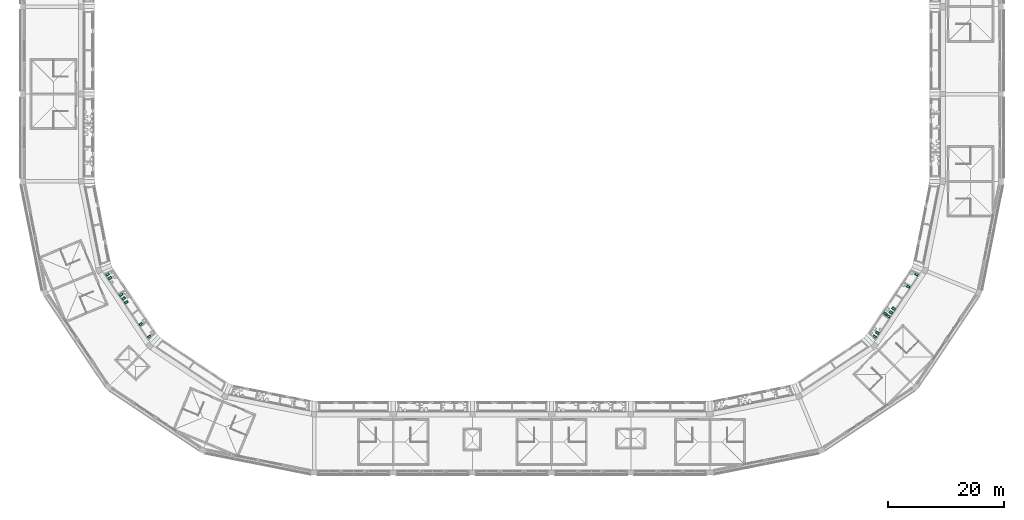
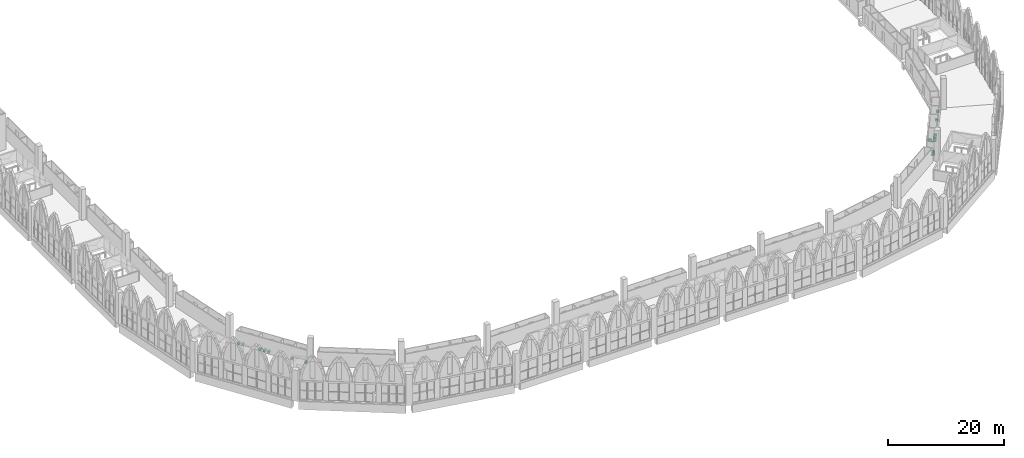
# One storey, part 122 of 130: 15 sanitary terminals.
"""IFC4 building model written with IfcOpenShell, lengths in metres."""

from ifc_helpers import new_model, si_unit, direction, frame, origin, origin_2d, place, context, subcontext, project, spatial, rectangle, extrude, material, type_object, element, save


model = new_model("IFC4")

# Units and contexts
model_context = context("Model", 3, precision=1e-05, world=origin(), true_north=direction((0.0, 1.0)))
body_context = subcontext(model_context, "Body", "Model", "MODEL_VIEW")
ifc_project = project(units=[si_unit("LENGTHUNIT", "METRE"), si_unit("AREAUNIT", "SQUARE_METRE"), si_unit("VOLUMEUNIT", "CUBIC_METRE"), si_unit("PLANEANGLEUNIT", "RADIAN"), si_unit("MASSUNIT", "GRAM", prefix="KILO")], contexts=[model_context])

# Site, building, storey
site_placement = place(None, origin())
site = spatial("IfcSite", under=ifc_project, at=site_placement, CompositionType="ELEMENT")
building_placement = place(site_placement, origin())
building = spatial("IfcBuilding", under=site, at=building_placement, Name="Ogive Plaza Stadium", CompositionType="ELEMENT")
storey_placement = place(building_placement, frame((0.0, 0.0, 22.5)))
storey = spatial("IfcBuildingStorey", under=building, at=storey_placement, Name="L05", CompositionType="ELEMENT", Elevation=22.5)

# Sanitary terminals
ifc_material = material(Name="Vitreous china", Category="ceramic")
sanitary_terminal_type = type_object("IfcSanitaryTerminalType", Name="Water closet", PredefinedType="TOILETPAN", material=ifc_material)
for number, where, z_axis, x_axis, name in (
    (1, (62.318359375, -79.17822265625, 0.0), (0.0, 0.0, 1.0), (0.55557023302, 0.831469612303, 0.0), "Water closet L05-025"),
    (2, (62.7626953125, -78.51318359375, 0.0), (0.0, 0.0, 1.0), (0.55557023302, 0.831469612303, 0.0), "Water closet L05-025"),
    (3, (-69.484619140625, -68.453369140625, 0.0), (0.0, 0.0, 1.0), (0.55557023302, -0.831469612303, 0.0), "Water closet L05-055"),
    (4, (-69.0400390625, -69.118408203125, 0.0), (0.0, 0.0, 1.0), (0.55557023302, -0.831469612303, 0.0), "Water closet L05-055"),
    (5, (64.652099609375, -75.685302734375, 0.0), (0.0, 0.0, 1.0), (0.55557023302, 0.831469612303, 0.0), "Water closet L05-026"),
    (6, (65.0966796875, -75.020263671875, 0.0), (0.0, 0.0, 1.0), (0.55557023302, 0.831469612303, 0.0), "Water closet L05-026"),
    (7, (65.541015625, -74.35498046875, 0.0), (0.0, 0.0, 1.0), (0.55557023302, 0.831469612303, 0.0), "Water closet L05-026"),
    (8, (64.09765625, -75.2119140625, 0.0), (0.0, 0.0, 1.0), (0.55557023302, 0.831469612303, 0.0), "Water closet L05-026"),
    (9, (-67.150634765625, -71.9462890625, 0.0), (0.0, 0.0, 1.0), (0.55557023302, -0.831469612303, 0.0), "Water closet L05-056"),
    (10, (-66.7060546875, -72.611328125, 0.0), (0.0, 0.0, 1.0), (0.55557023302, -0.831469612303, 0.0), "Water closet L05-056"),
    (11, (-66.26171875, -73.276611328125, 0.0), (0.0, 0.0, 1.0), (0.55557023302, -0.831469612303, 0.0), "Water closet L05-056"),
    (12, (68.053955078125, -70.59423828125, 0.0), (0.0, 0.0, 1.0), (-0.55557023302, -0.831469612303, 0.0), "Water closet L05-027"),
    (13, (69.484619140625, -68.453369140625, 0.0), (0.0, 0.0, 1.0), (-0.55557023302, -0.831469612303, 0.0), "Water closet L05-028"),
    (14, (-63.748779296875, -77.03759765625, 0.0), (0.0, 0.0, 1.0), (-0.55557023302, 0.831469612303, 0.0), "Water closet L05-057"),
    (15, (-62.318359375, -79.17822265625, 0.0), (0.0, 0.0, 1.0), (-0.55557023302, 0.831469612303, 0.0), "Water closet L05-058"),
):
    element("IfcSanitaryTerminal", number, at=place(storey_placement, frame(where, z_axis=z_axis, x_axis=x_axis)), inside=storey, type_object=sanitary_terminal_type, Name=name, PredefinedType="TOILETPAN", context=body_context, shape_type="SweptSolid", body=[
        extrude(rectangle(XDim=0.39990234375, YDim=0.60009765625, at=origin_2d()), origin(), (0.0, 0.0, 1.0), 0.39990234375),
    ])

save(model, "model.ifc")
